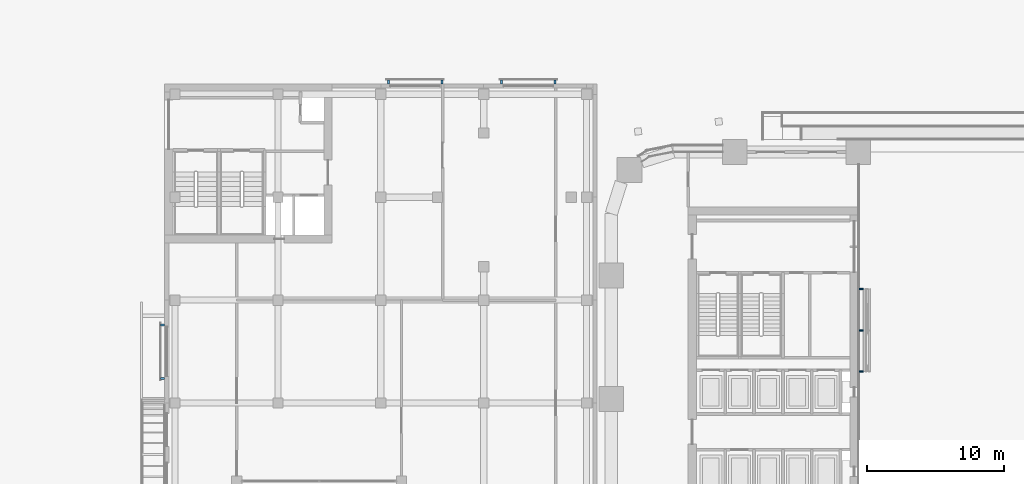
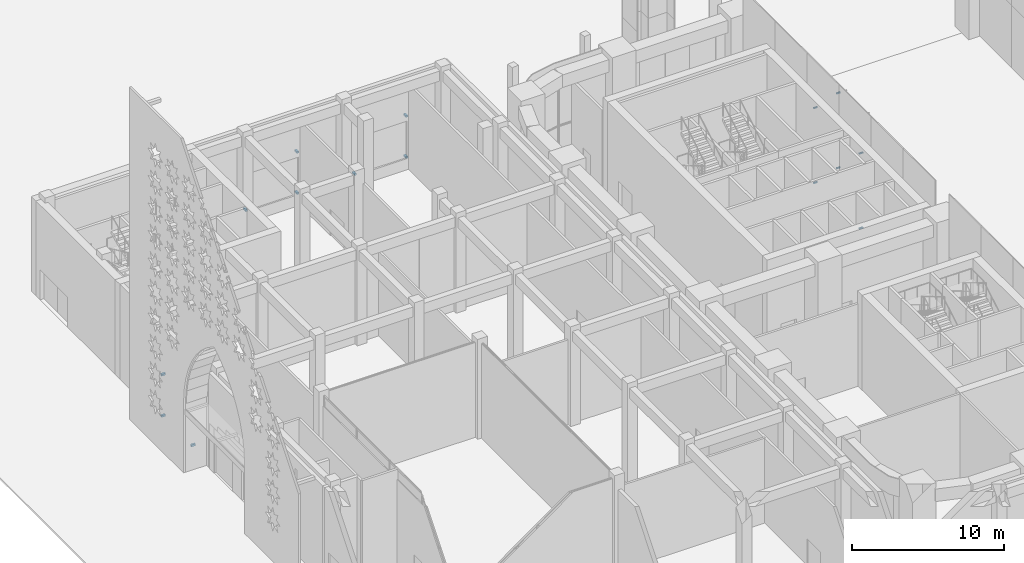
# One storey, part 44 of 64: 15 discrete accessories.
"""IFC4 building model written with IfcOpenShell, lengths in metres."""

from ifc_helpers import new_model, si_unit, direction, frame, origin, origin_2d, place, context, subcontext, project, spatial, rectangle, extrude, element, save


model = new_model("IFC4")

# Units and contexts
model_context = context("Model", 3, precision=1e-05, world=origin(), true_north=direction((0.0, 1.0)))
body_context = subcontext(model_context, "Body", "Model", "MODEL_VIEW")
ifc_project = project(units=[si_unit("LENGTHUNIT", "METRE"), si_unit("AREAUNIT", "SQUARE_METRE"), si_unit("VOLUMEUNIT", "CUBIC_METRE"), si_unit("PLANEANGLEUNIT", "RADIAN"), si_unit("MASSUNIT", "GRAM", prefix="KILO")], contexts=[model_context])

# Site, building, storey
site_placement = place(None, origin())
site = spatial("IfcSite", under=ifc_project, at=site_placement, CompositionType="ELEMENT")
building_placement = place(site_placement, origin())
building = spatial("IfcBuilding", under=site, at=building_placement, Name="Tessera Arch", CompositionType="ELEMENT")
storey_placement = place(building_placement, origin())
storey = spatial("IfcBuildingStorey", under=building, at=storey_placement, Name="L00", CompositionType="ELEMENT", Elevation=0.0)

# Discrete accessories
for number, where, z_axis, x_axis, name in (
    (1, (18.219970703125, 38.0, -0.050048828125), (0.0, 0.0, 1.0), (1.0, 0.0, 0.0), "Lattice bracket"),
    (2, (18.219970703125, 38.0, 5.949951171875), (0.0, 0.0, 1.0), (1.0, 0.0, 0.0), "Lattice bracket"),
    (3, (18.219970703125, 41.0, 2.949951171875), (0.0, 0.0, 1.0), (1.0, 0.0, 0.0), "Lattice bracket"),
    (4, (18.219970703125, 41.0, 8.949951171875), (0.0, 0.0, 1.0), (1.0, 0.0, 0.0), "Lattice bracket"),
    (5, (18.219970703125, 44.0, -0.050048828125), (0.0, 0.0, 1.0), (1.0, 0.0, 0.0), "Lattice bracket"),
    (6, (18.219970703125, 44.0, 5.949951171875), (0.0, 0.0, 1.0), (1.0, 0.0, 0.0), "Lattice bracket"),
):
    element("IfcDiscreteAccessory", number, at=place(storey_placement, frame(where, z_axis=z_axis, x_axis=x_axis)), inside=storey, Name=name, PredefinedType="BRACKET", context=body_context, shape_type="SweptSolid", body=[
        extrude(rectangle(XDim=0.300048828125, YDim=0.10009765625, at=origin_2d()), origin(), (0.0, 0.0, 1.0), 0.10009765625),
    ])
for number, where, z_axis, x_axis, name in (
    (7, (-4.10009765625, 59.10009765625, 0.675048828125), (0.0, 0.0, 1.0), (0.0, 1.0, 0.0), "Screen bracket"),
    (8, (-8.0, 59.10009765625, 0.675048828125), (0.0, 0.0, 1.0), (0.0, 1.0, 0.0), "Screen bracket"),
    (9, (-4.10009765625, 59.10009765625, 3.97509765625), (0.0, 0.0, 1.0), (0.0, 1.0, 0.0), "Screen bracket"),
    (10, (-12.35009765625, 59.10009765625, 0.675048828125), (0.0, 0.0, 1.0), (0.0, 1.0, 0.0), "Screen bracket"),
    (11, (-16.25, 59.10009765625, 0.675048828125), (0.0, 0.0, 1.0), (0.0, 1.0, 0.0), "Screen bracket"),
    (12, (-12.35009765625, 59.10009765625, 3.97509765625), (0.0, 0.0, 1.0), (0.0, 1.0, 0.0), "Screen bracket"),
    (13, (-32.699951171875, 41.39990234375, 0.675048828125), (0.0, 0.0, 1.0), (-1.0, 0.0, 0.0), "Screen bracket"),
    (14, (-32.699951171875, 37.5, 0.675048828125), (0.0, 0.0, 1.0), (-1.0, 0.0, 0.0), "Screen bracket"),
    (15, (-32.699951171875, 41.39990234375, 3.97509765625), (0.0, 0.0, 1.0), (-1.0, 0.0, 0.0), "Screen bracket"),
):
    element("IfcDiscreteAccessory", number, at=place(storey_placement, frame(where, z_axis=z_axis, x_axis=x_axis)), inside=storey, Name=name, PredefinedType="BRACKET", context=body_context, shape_type="SweptSolid", body=[
        extrude(rectangle(XDim=0.300048828125, YDim=0.14990234375, at=origin_2d()), origin(), (0.0, 0.0, 1.0), 0.14990234375),
    ])

save(model, "model.ifc")
